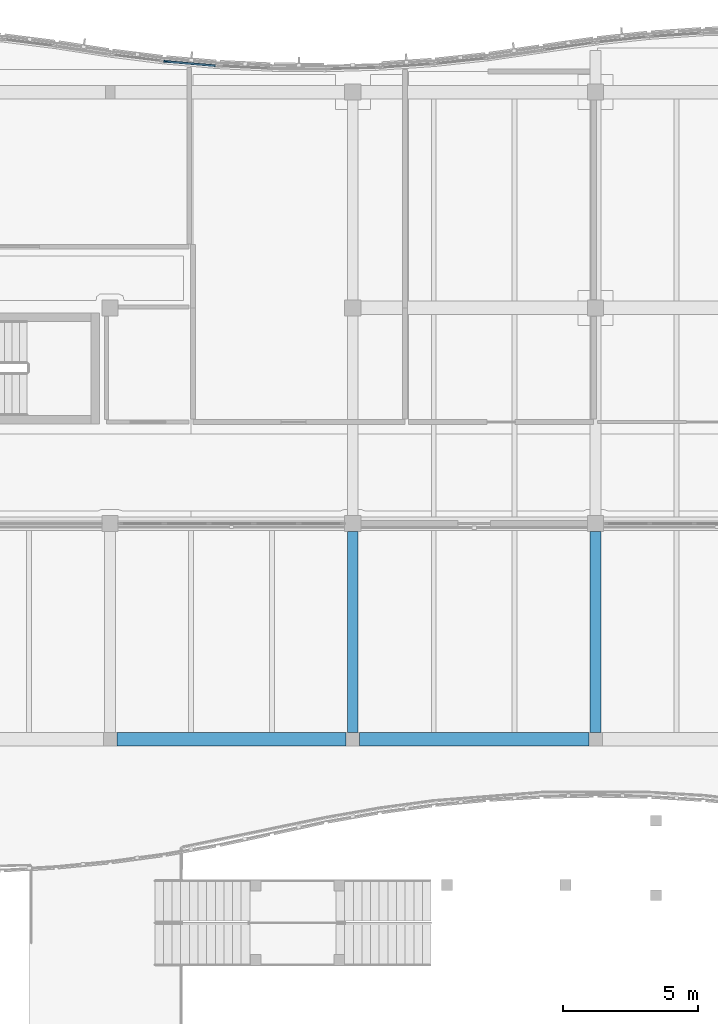
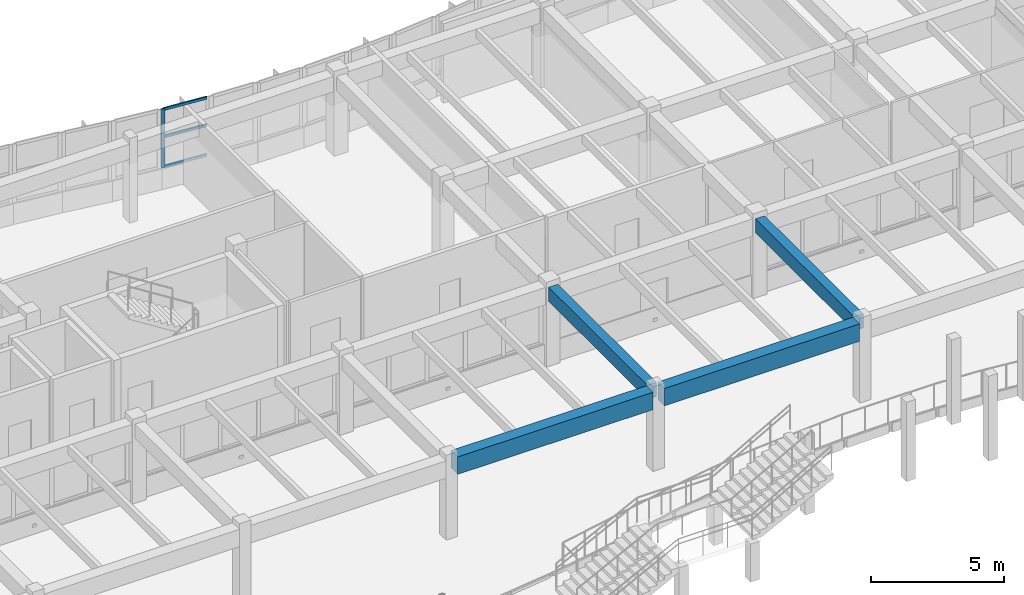
# One storey, part 20 of 89: 4 beams, 4 members, 1 element without a shape of its own.
"""IFC4 building model written with IfcOpenShell, lengths in metres."""

from ifc_helpers import new_model, si_unit, direction, frame, origin, origin_2d, place, context, subcontext, project, spatial, rectangle, extrude, material, layer, layer_set, material_profile, profile_set, type_object, element, aggregate, save


model = new_model("IFC4")

# Units and contexts
model_context = context("Model", 3, precision=1e-05, world=origin(), true_north=direction((0.0, 1.0)))
body_context = subcontext(model_context, "Body", "Model", "MODEL_VIEW")
ifc_project = project(units=[si_unit("LENGTHUNIT", "METRE"), si_unit("AREAUNIT", "SQUARE_METRE"), si_unit("VOLUMEUNIT", "CUBIC_METRE"), si_unit("PLANEANGLEUNIT", "RADIAN"), si_unit("MASSUNIT", "GRAM", prefix="KILO")], contexts=[model_context])

# Site, building, storey
site_placement = place(None, origin())
site = spatial("IfcSite", under=ifc_project, at=site_placement, CompositionType="ELEMENT")
building_placement = place(site_placement, origin())
building = spatial("IfcBuilding", under=site, at=building_placement, Name="Tonlespit Floodbar School", CompositionType="ELEMENT")
storey_placement = place(building_placement, frame((0.0, 0.0, 4.5)))
storey = spatial("IfcBuildingStorey", under=building, at=storey_placement, Name="L01", CompositionType="ELEMENT", Elevation=4.5)

# Beams
ifc_material_1 = material(Name="Concrete C40/50", Category="concrete")
ifc_material_profile_1 = material_profile(ifc_material_1, rectangle(XDim=0.39990234375, YDim=0.64990234375, at=origin_2d()), Name="RC 400x650")
ifc_profile_set_1 = profile_set([ifc_material_profile_1], Name="Concrete C40/50")
beam_type_1 = type_object("IfcBeamType", Name="Beam_RC_400x650", PredefinedType="BEAM", material=ifc_profile_set_1)
for number, where, z_axis, x_axis, name in (
    (1, (71.0, 96.25, 3.322998046875), (0.0, 1.0, 0.0), (-1.0, 0.0, 0.0), "L01 girder 0731"),
    (2, (80.0, 96.25, 3.322998046875), (0.0, 1.0, 0.0), (-1.0, 0.0, 0.0), "L01 girder 0734"),
):
    element("IfcBeam", number, at=place(storey_placement, frame(where, z_axis=z_axis, x_axis=x_axis)), inside=storey, type_object=beam_type_1, Name=name, PredefinedType="BEAM", context=body_context, shape_type="SweptSolid", body=[
        extrude(rectangle(XDim=0.39990234375, YDim=0.64990234375, at=origin_2d()), origin(), (0.0, 0.0, 1.0), 7.449951171875),
    ])
ifc_material_profile_2 = material_profile(ifc_material_1, rectangle(XDim=0.5, YDim=0.800048828125, at=origin_2d()), Name="RC 500x800")
ifc_profile_set_2 = profile_set([ifc_material_profile_2], Name="Concrete C40/50")
beam_type_2 = type_object("IfcBeamType", Name="Beam_RC_500x800", PredefinedType="BEAM", material=ifc_profile_set_2)
for number, where, z_axis, x_axis, name in (
    (3, (62.25, 96.0, 3.248046875), (1.0, 0.0, 0.0), (0.0, 1.0, 0.0), "L01 girder 0619"),
    (4, (71.25, 96.0, 3.248046875), (1.0, 0.0, 0.0), (0.0, 1.0, 0.0), "L01 girder 0620"),
):
    element("IfcBeam", number, at=place(storey_placement, frame(where, z_axis=z_axis, x_axis=x_axis)), inside=storey, type_object=beam_type_2, Name=name, PredefinedType="BEAM", context=body_context, shape_type="SweptSolid", body=[
        extrude(rectangle(XDim=0.5, YDim=0.800048828125, at=origin_2d()), origin(), (0.0, 0.0, 1.0), 8.5),
    ])

# Curtain wall, members
ifc_material_2 = material(Name="Anodised Aluminium", Category="aluminium")
ifc_layer = layer(ifc_material_2, 0.159912109375)
ifc_layer_set = layer_set([ifc_layer], Name="Anodised Aluminium")
curtain_wall_type = type_object("IfcCurtainWallType", Name="CurtainWall_1950x2700", PredefinedType="NOTDEFINED", material=ifc_layer_set)
curtain_wall_placement = place(storey_placement, origin())
curtain_wall = element("IfcCurtainWall", 5, at=curtain_wall_placement, inside=storey, type_object=curtain_wall_type, Name="L01 unitised curtain wall 0050", PredefinedType="NOTDEFINED")
ifc_material_profile_3 = material_profile(ifc_material_2, rectangle(XDim=0.06494140625, YDim=0.14990234375, at=origin_2d()), Name="ALU M65x150")
ifc_profile_set_3 = profile_set([ifc_material_profile_3], Name="Anodised Aluminium")
member_type_1 = type_object("IfcMemberType", Name="CW_Mullion_65x150", PredefinedType="MULLION", material=ifc_profile_set_3)
member_1_placement = place(storey_placement, frame((64.072265625, 121.135986328125, 0.949951171875), z_axis=(0.0, 0.0, 1.0), x_axis=(0.086531117454, 0.996249148412, 0.0)))
member_1 = element("IfcMember", 6, at=member_1_placement, type_object=member_type_1, Name="CW-04 mullion 1", PredefinedType="MULLION", context=body_context, shape_type="SweptSolid", body=[
    extrude(rectangle(XDim=0.06494140625, YDim=0.14990234375, at=origin_2d()), origin(), (0.0, 0.0, 1.0), 2.699951171875),
])
ifc_material_profile_4 = material_profile(ifc_material_2, rectangle(XDim=0.06494140625, YDim=0.1201171875, at=origin_2d()), Name="ALU T65x120")
ifc_profile_set_4 = profile_set([ifc_material_profile_4], Name="Anodised Aluminium")
member_type_2 = type_object("IfcMemberType", Name="CW_Transom_65x120", PredefinedType="USERDEFINED", material=ifc_profile_set_4)
member_2_placement = place(storey_placement, frame((64.1044921875, 121.133056640625, 0.982421875), z_axis=(0.996251281774, -0.086506552139, 0.0), x_axis=(0.086506552139, 0.996251281774, 0.0)))
member_2 = element("IfcMember", 7, at=member_2_placement, type_object=member_type_2, Name="CW-04 transom 1.1", ObjectType="TRANSOM", PredefinedType="USERDEFINED", context=body_context, shape_type="SweptSolid", body=[
    extrude(rectangle(XDim=0.06494140625, YDim=0.1201171875, at=origin_2d()), origin(), (0.0, 0.0, 1.0), 1.7978515625),
])
member_3_placement = place(storey_placement, frame((64.1044921875, 121.133056640625, 2.35400390625), z_axis=(0.996251281774, -0.086506552139, 0.0), x_axis=(0.086506552139, 0.996251281774, 0.0)))
member_3 = element("IfcMember", 8, at=member_3_placement, type_object=member_type_2, Name="CW-04 transom 1.2", ObjectType="TRANSOM", PredefinedType="USERDEFINED", context=body_context, shape_type="SweptSolid", body=[
    extrude(rectangle(XDim=0.06494140625, YDim=0.1201171875, at=origin_2d()), origin(), (0.0, 0.0, 1.0), 1.7978515625),
])
member_4_placement = place(storey_placement, frame((64.1044921875, 121.133056640625, 3.617431640625), z_axis=(0.996251281774, -0.086506552139, 0.0), x_axis=(0.086506552139, 0.996251281774, 0.0)))
member_4 = element("IfcMember", 9, at=member_4_placement, type_object=member_type_2, Name="CW-04 transom 1.3", ObjectType="TRANSOM", PredefinedType="USERDEFINED", context=body_context, shape_type="SweptSolid", body=[
    extrude(rectangle(XDim=0.06494140625, YDim=0.1201171875, at=origin_2d()), origin(), (0.0, 0.0, 1.0), 1.7978515625),
])
aggregate(curtain_wall, [member_1, member_2, member_3, member_4])

save(model, "model.ifc")
